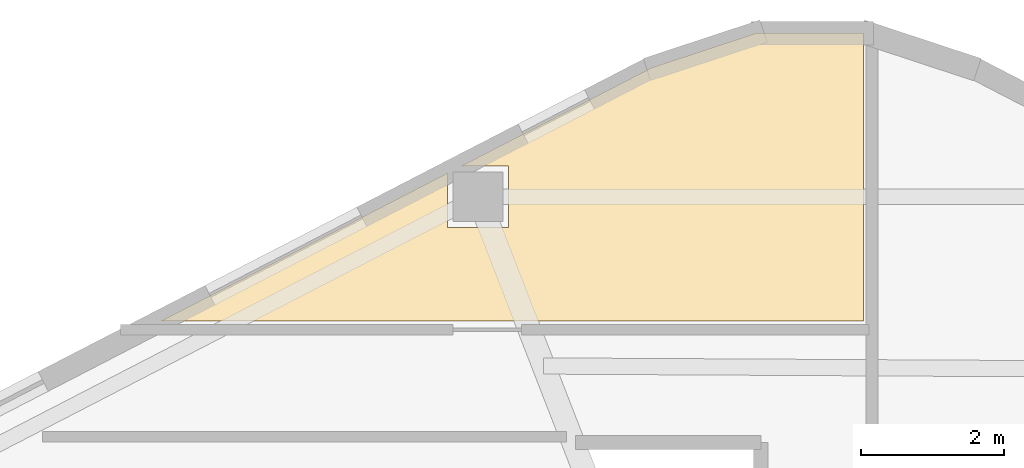
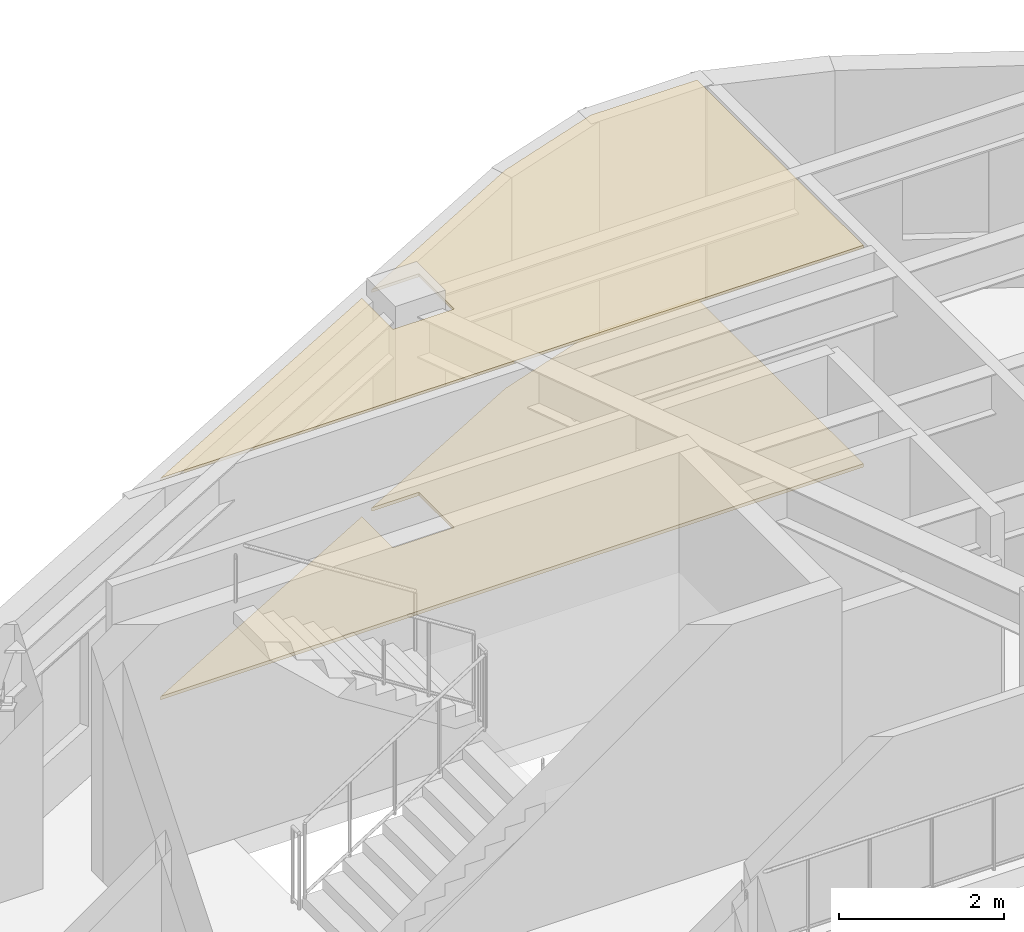
# One storey, part 11 of 11: 2 coverings.
"""IFC4 building model written with IfcOpenShell, lengths in metres."""

from ifc_helpers import new_model, si_unit, direction, frame, origin, place, context, subcontext, project, spatial, polyline, outline, extrude, material, layer, layer_set, type_object, element, save


model = new_model("IFC4")

# Units and contexts
model_context = context("Model", 3, precision=1e-05, world=origin(), true_north=direction((0.0, 1.0)))
body_context = subcontext(model_context, "Body", "Model", "MODEL_VIEW")
ifc_project = project(units=[si_unit("LENGTHUNIT", "METRE"), si_unit("AREAUNIT", "SQUARE_METRE"), si_unit("VOLUMEUNIT", "CUBIC_METRE"), si_unit("PLANEANGLEUNIT", "RADIAN"), si_unit("MASSUNIT", "GRAM", prefix="KILO"), si_unit("THERMODYNAMICTEMPERATUREUNIT", "KELVIN"), si_unit("POWERUNIT", "WATT")], contexts=[model_context])

# Site, building, storey
site_placement = place(None, origin())
site = spatial("IfcSite", under=ifc_project, at=site_placement, CompositionType="ELEMENT")
building_placement = place(site_placement, origin())
building = spatial("IfcBuilding", under=site, at=building_placement, Name="Skarre Station Tower", CompositionType="ELEMENT")
storey_placement = place(building_placement, frame((0.0, 0.0, 241.89990234375)))
storey = spatial("IfcBuildingStorey", under=building, at=storey_placement, Name="L66", CompositionType="ELEMENT", Elevation=241.89990234375)

# Coverings
ifc_material_1 = material(Name="Honed Jura Limestone & Calcium-Sulfate Access Tile", Category="masonry")
ifc_layer_1 = layer(ifc_material_1, 0.050048828125, Name="Honed Jura Limestone & Calcium-Sulfate Access Tile")
ifc_layer_set_1 = layer_set([ifc_layer_1], Name="Honed Jura Limestone & Calcium-Sulfate Access Tile")
covering_type_1 = type_object("IfcCoveringType", Name="Honed Limestone & Raised Access Floor Finish 50", PredefinedType="FLOORING", material=ifc_layer_set_1)
covering_1_placement = place(storey_placement, origin())
element("IfcCovering", 1, at=covering_1_placement, inside=storey, type_object=covering_type_1, Name="L66 Limestone Access Flooring 1", PredefinedType="FLOORING", context=body_context, shape_type="SweptSolid", body=[
    extrude(outline(polyline([(33.919921875, 41.74609375), (32.429931640625, 41.74609375), (30.9541015625, 41.260009765625), (28.27490234375, 39.876953125), (28.94091796875, 39.876953125), (28.94091796875, 39.01708984375), (28.0810546875, 39.01708984375), (28.0810546875, 39.777099609375), (24.05810546875, 37.699951171875), (33.919921875, 37.699951171875), (33.919921875, 41.74609375)])), origin(), (0.0, 0.0, 1.0), 0.050048828125),
])
ifc_material_2 = material(Name="Perforated Nordic Birch Veneer & Mineral Wool", Category="wood")
ifc_layer_2 = layer(ifc_material_2, 0.044921875, Name="Perforated Nordic Birch Veneer & Mineral Wool")
ifc_layer_set_2 = layer_set([ifc_layer_2], Name="Perforated Nordic Birch Veneer & Mineral Wool")
covering_type_2 = type_object("IfcCoveringType", Name="Nordic Birch Slatted Acoustic Suspended Ceiling 45", PredefinedType="CEILING", material=ifc_layer_set_2)
covering_2_placement = place(storey_placement, frame((0.0, 0.0, 3.2451171875)))
element("IfcCovering", 2, at=covering_2_placement, inside=storey, type_object=covering_type_2, Name="L66 Acoustic Birch Ceiling 1", PredefinedType="CEILING", context=body_context, shape_type="SweptSolid", body=[
    extrude(outline(polyline([(33.919921875, 41.74609375), (32.429931640625, 41.74609375), (30.9541015625, 41.260009765625), (28.27490234375, 39.876953125), (28.94091796875, 39.876953125), (28.94091796875, 39.01708984375), (28.0810546875, 39.01708984375), (28.0810546875, 39.777099609375), (24.05810546875, 37.699951171875), (33.919921875, 37.699951171875), (33.919921875, 41.74609375)])), origin(), (0.0, 0.0, 1.0), 0.044921875),
])

save(model, "model.ifc")
